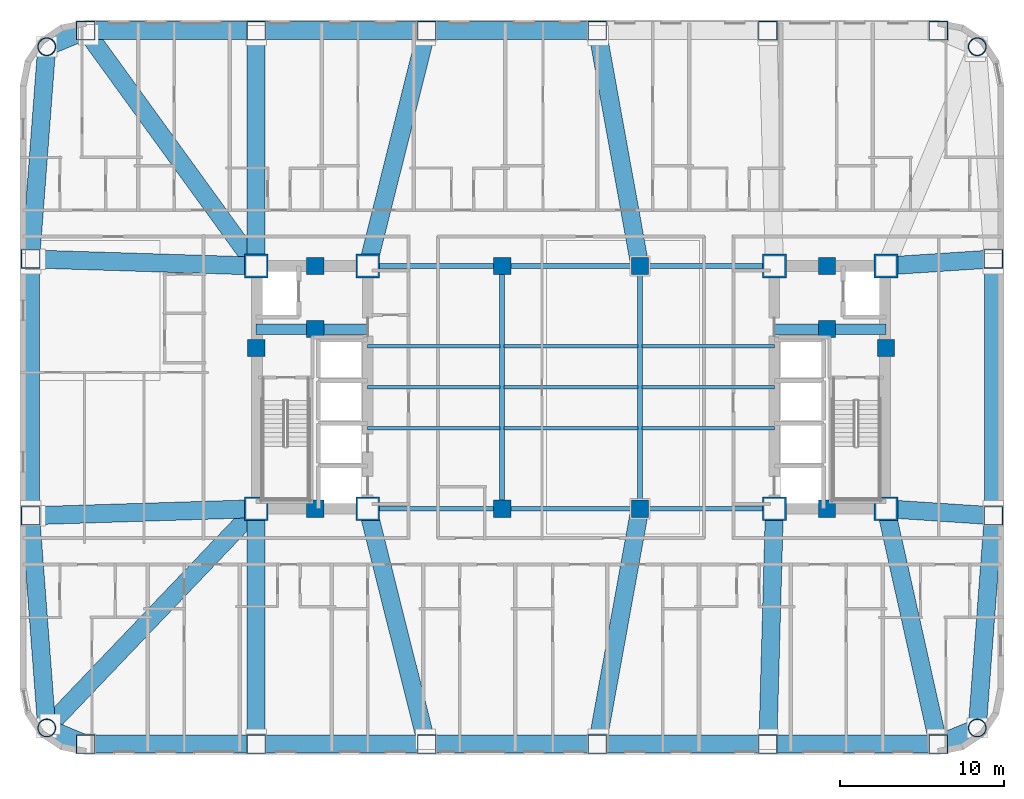
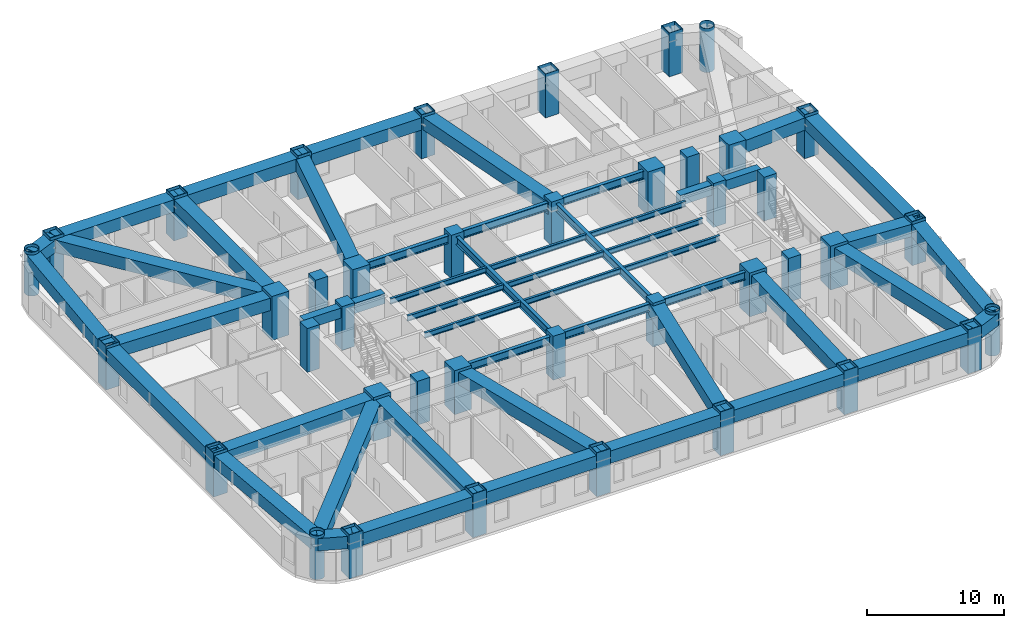
# One storey, part 1 of 12: 49 beams, 40 columns.
"""IFC4 building model written with IfcOpenShell, lengths in metres."""

from ifc_helpers import new_model, si_unit, direction, frame, origin, origin_2d, place, context, subcontext, project, spatial, rectangle, hollow_rectangle, hollow_circle, i_section, extrude, material, material_profile, profile_set, type_object, element, save


model = new_model("IFC4")

# Units and contexts
model_context = context("Model", 3, precision=1e-05, world=origin(), true_north=direction((0.0, 1.0)))
body_context = subcontext(model_context, "Body", "Model", "MODEL_VIEW")
ifc_project = project(units=[si_unit("LENGTHUNIT", "METRE"), si_unit("AREAUNIT", "SQUARE_METRE"), si_unit("VOLUMEUNIT", "CUBIC_METRE"), si_unit("PLANEANGLEUNIT", "RADIAN"), si_unit("MASSUNIT", "GRAM", prefix="KILO")], contexts=[model_context])

# Site, building, storey
site_placement = place(None, origin())
site = spatial("IfcSite", under=ifc_project, at=site_placement, CompositionType="ELEMENT")
building_placement = place(site_placement, origin())
building = spatial("IfcBuilding", under=site, at=building_placement, Name="Voryun Gate Residences", CompositionType="ELEMENT")
storey_placement = place(building_placement, frame((0.0, 0.0, 29.89990234375)))
storey = spatial("IfcBuildingStorey", under=building, at=storey_placement, Name="L06", CompositionType="ELEMENT", Elevation=29.89990234375)

# Columns
ifc_material_1 = material(Name="Concrete C50/60", Category="concrete")
ifc_material_profile_1 = material_profile(ifc_material_1, rectangle(XDim=1.050048828125, YDim=1.050048828125, at=origin_2d()), Name="RC-1050x1050")
ifc_profile_set_1 = profile_set([ifc_material_profile_1], Name="Concrete C50/60")
column_type_1 = type_object("IfcColumnType", Name="COL_CORE_1050", PredefinedType="COLUMN", material=ifc_profile_set_1)
for number, where, z_axis, x_axis, name in (
    (1, (-19.199951171875, 2.39990234375, 0.0), (0.0, 0.0, 1.0), (1.0, 0.0, 0.0), "L06 Core boundary column WC-MW"),
    (2, (-15.60009765625, -7.39990234375, 0.0), (0.0, 0.0, 1.0), (1.0, 0.0, 0.0), "L06 Core boundary column WC-SM"),
    (3, (-15.60009765625, 7.39990234375, 0.0), (0.0, 0.0, 1.0), (1.0, 0.0, 0.0), "L06 Core boundary column WC-NM"),
    (4, (-15.60009765625, 3.550048828125, 0.0), (0.0, 0.0, 1.0), (1.0, 0.0, 0.0), "L06 Core boundary column WC-MM"),
    (5, (15.60009765625, 3.550048828125, 0.0), (0.0, 0.0, 1.0), (1.0, 0.0, 0.0), "L06 Core boundary column EC-MM"),
    (6, (15.60009765625, -7.39990234375, 0.0), (0.0, 0.0, 1.0), (1.0, 0.0, 0.0), "L06 Core boundary column EC-SM"),
    (7, (15.60009765625, 7.39990234375, 0.0), (0.0, 0.0, 1.0), (1.0, 0.0, 0.0), "L06 Core boundary column EC-NM"),
    (8, (19.199951171875, 2.39990234375, 0.0), (0.0, 0.0, 1.0), (1.0, 0.0, 0.0), "L06 Core boundary column EC-ME"),
    (9, (-4.199951171875, -7.39990234375, 0.0), (0.0, 0.0, 1.0), (1.0, 0.0, 0.0), "L06 Interior spine column SP-WS"),
    (10, (-4.199951171875, 7.39990234375, 0.0), (0.0, 0.0, 1.0), (1.0, 0.0, 0.0), "L06 Interior spine column SP-WN"),
    (11, (4.199951171875, -7.39990234375, 0.0), (0.0, 0.0, 1.0), (1.0, 0.0, 0.0), "L06 Interior spine column SP-ES"),
    (12, (4.199951171875, 7.39990234375, 0.0), (0.0, 0.0, 1.0), (1.0, 0.0, 0.0), "L06 Interior spine column SP-EN"),
):
    element("IfcColumn", number, at=place(storey_placement, frame(where, z_axis=z_axis, x_axis=x_axis)), inside=storey, type_object=column_type_1, Name=name, PredefinedType="COLUMN", context=body_context, shape_type="SweptSolid", body=[
        extrude(rectangle(XDim=1.050048828125, YDim=1.050048828125, at=origin_2d()), origin(), (0.0, 0.0, 1.0), 3.900146484375),
    ])
ifc_material_2 = material(Name="Steel SM420", Category="steel")
ifc_material_profile_2 = material_profile(ifc_material_2, hollow_circle(Radius=0.550048828125, WallThickness=0.035888671875, at=origin_2d()), Name="CHS-1100x36")
ifc_profile_set_2 = profile_set([ifc_material_profile_2], Name="Steel SM420")
column_type_2 = type_object("IfcColumnType", Name="COL_CRN_1100", PredefinedType="COLUMN", material=ifc_profile_set_2)
for number, where, z_axis, x_axis, name in (
    (13, (24.768798828125, -20.768798828125, 0.0), (0.0, 0.0, 1.0), (1.0, 0.0, 0.0), "L06 Exoskeleton column CSE"),
    (14, (24.768798828125, 20.768798828125, 0.0), (0.0, 0.0, 1.0), (1.0, 0.0, 0.0), "L06 Exoskeleton column CNE"),
    (15, (-31.96875, 20.768798828125, 0.0), (0.0, 0.0, 1.0), (1.0, 0.0, 0.0), "L06 Exoskeleton column CNW"),
    (16, (-31.96875, -20.768798828125, 0.0), (0.0, 0.0, 1.0), (1.0, 0.0, 0.0), "L06 Exoskeleton column CSW"),
):
    element("IfcColumn", number, at=place(storey_placement, frame(where, z_axis=z_axis, x_axis=x_axis)), inside=storey, type_object=column_type_2, Name=name, PredefinedType="COLUMN", context=body_context, shape_type="SweptSolid", body=[
        extrude(hollow_circle(Radius=0.550048828125, WallThickness=0.035888671875, at=origin_2d()), origin(), (0.0, 0.0, 1.0), 3.900146484375),
    ])
ifc_material_3 = material(Name="Steel SM420", Category="steel")
ifc_material_profile_3 = material_profile(ifc_material_3, hollow_rectangle(XDim=1.14990234375, YDim=1.14990234375, WallThickness=0.0400390625, at=origin_2d()), Name="BOX-1150x1150x40")
ifc_profile_set_3 = profile_set([ifc_material_profile_3], Name="Steel SM420")
column_type_3 = type_object("IfcColumnType", Name="COL_EXO_B1", PredefinedType="COLUMN", material=ifc_profile_set_3)
for number, where, z_axis, x_axis, name in (
    (17, (-29.60009765625, -21.75, 0.0), (0.0, 0.0, 1.0), (1.0, 0.0, 0.0), "L06 Exoskeleton column S1"),
    (18, (-19.199951171875, -21.75, 0.0), (0.0, 0.0, 1.0), (1.0, 0.0, 0.0), "L06 Exoskeleton column S2"),
    (19, (-8.800048828125, -21.75, 0.0), (0.0, 0.0, 1.0), (1.0, 0.0, 0.0), "L06 Exoskeleton column S3"),
    (20, (1.60009765625, -21.75, 0.0), (0.0, 0.0, 1.0), (1.0, 0.0, 0.0), "L06 Exoskeleton column S4"),
    (21, (12.0, -21.75, 0.0), (0.0, 0.0, 1.0), (1.0, 0.0, 0.0), "L06 Exoskeleton column S5"),
    (22, (22.39990234375, -21.75, 0.0), (0.0, 0.0, 1.0), (1.0, 0.0, 0.0), "L06 Exoskeleton column S6"),
    (23, (25.75, -7.830078125, 0.0), (0.0, 0.0, 1.0), (1.0, 0.0, 0.0), "L06 Exoskeleton column E1"),
    (24, (25.75, 7.830078125, 0.0), (0.0, 0.0, 1.0), (1.0, 0.0, 0.0), "L06 Exoskeleton column E2"),
    (25, (22.39990234375, 21.75, 0.0), (0.0, 0.0, 1.0), (1.0, 0.0, 0.0), "L06 Exoskeleton column N1"),
    (26, (12.0, 21.75, 0.0), (0.0, 0.0, 1.0), (1.0, 0.0, 0.0), "L06 Exoskeleton column N2"),
    (27, (1.60009765625, 21.75, 0.0), (0.0, 0.0, 1.0), (1.0, 0.0, 0.0), "L06 Exoskeleton column N3"),
    (28, (-8.800048828125, 21.75, 0.0), (0.0, 0.0, 1.0), (1.0, 0.0, 0.0), "L06 Exoskeleton column N4"),
    (29, (-19.199951171875, 21.75, 0.0), (0.0, 0.0, 1.0), (1.0, 0.0, 0.0), "L06 Exoskeleton column N5"),
    (30, (-29.60009765625, 21.75, 0.0), (0.0, 0.0, 1.0), (1.0, 0.0, 0.0), "L06 Exoskeleton column N6"),
    (31, (-32.949951171875, 7.830078125, 0.0), (0.0, 0.0, 1.0), (1.0, 0.0, 0.0), "L06 Exoskeleton column W1"),
    (32, (-32.949951171875, -7.830078125, 0.0), (0.0, 0.0, 1.0), (1.0, 0.0, 0.0), "L06 Exoskeleton column W2"),
):
    element("IfcColumn", number, at=place(storey_placement, frame(where, z_axis=z_axis, x_axis=x_axis)), inside=storey, type_object=column_type_3, Name=name, PredefinedType="COLUMN", context=body_context, shape_type="SweptSolid", body=[
        extrude(hollow_rectangle(XDim=1.14990234375, YDim=1.14990234375, WallThickness=0.0400390625, at=origin_2d()), origin(), (0.0, 0.0, 1.0), 3.900146484375),
    ])
ifc_material_4 = material(Name="Concrete C60/75", Category="concrete")
ifc_material_profile_4 = material_profile(ifc_material_4, rectangle(XDim=1.449951171875, YDim=1.449951171875, at=origin_2d()), Name="RC-1450x1450")
ifc_profile_set_4 = profile_set([ifc_material_profile_4], Name="Concrete C60/75")
column_type_4 = type_object("IfcColumnType", Name="COL_MEGA_1450", PredefinedType="COLUMN", material=ifc_profile_set_4)
for number, where, z_axis, x_axis, name in (
    (33, (-19.199951171875, -7.39990234375, 0.0), (0.0, 0.0, 1.0), (1.0, 0.0, 0.0), "L06 Core boundary column WC-SW"),
    (34, (-19.199951171875, 7.39990234375, 0.0), (0.0, 0.0, 1.0), (1.0, 0.0, 0.0), "L06 Core boundary column WC-NW"),
    (35, (-12.39990234375, -7.39990234375, 0.0), (0.0, 0.0, 1.0), (1.0, 0.0, 0.0), "L06 Core boundary column WC-SE"),
    (36, (-12.39990234375, 7.39990234375, 0.0), (0.0, 0.0, 1.0), (1.0, 0.0, 0.0), "L06 Core boundary column WC-NE"),
    (37, (12.39990234375, -7.39990234375, 0.0), (0.0, 0.0, 1.0), (1.0, 0.0, 0.0), "L06 Core boundary column EC-SW"),
    (38, (12.39990234375, 7.39990234375, 0.0), (0.0, 0.0, 1.0), (1.0, 0.0, 0.0), "L06 Core boundary column EC-NW"),
    (39, (19.199951171875, -7.39990234375, 0.0), (0.0, 0.0, 1.0), (1.0, 0.0, 0.0), "L06 Core boundary column EC-SE"),
    (40, (19.199951171875, 7.39990234375, 0.0), (0.0, 0.0, 1.0), (1.0, 0.0, 0.0), "L06 Core boundary column EC-NE"),
):
    element("IfcColumn", number, at=place(storey_placement, frame(where, z_axis=z_axis, x_axis=x_axis)), inside=storey, type_object=column_type_4, Name=name, PredefinedType="COLUMN", context=body_context, shape_type="SweptSolid", body=[
        extrude(rectangle(XDim=1.449951171875, YDim=1.449951171875, at=origin_2d()), origin(), (0.0, 0.0, 1.0), 3.900146484375),
    ])

# Beams
ifc_material_5 = material(Name="Steel SM420", Category="steel")
ifc_material_profile_5 = material_profile(ifc_material_5, hollow_rectangle(XDim=1.10009765625, YDim=1.10009765625, WallThickness=0.035888671875, at=origin_2d()), Name="BOX-1100x1100x36")
ifc_profile_set_5 = profile_set([ifc_material_profile_5], Name="Steel SM420")
beam_type_1 = type_object("IfcBeamType", Name="BM_ARCH_RIB", PredefinedType="USERDEFINED", material=ifc_profile_set_5)
beam_1_placement = place(storey_placement, frame((-29.60009765625, -21.75, 3.10009765625), z_axis=(1.0, 0.0, 0.0), x_axis=(0.0, 1.0, 0.0)))
element("IfcBeam", 41, at=beam_1_placement, inside=storey, type_object=beam_type_1, Name="BM-L06-SPAND-01", ObjectType="GIRDER", PredefinedType="USERDEFINED", context=body_context, shape_type="SweptSolid", body=[
    extrude(hollow_rectangle(XDim=1.10009765625, YDim=1.10009765625, WallThickness=0.035888671875, at=origin_2d()), origin(), (0.0, 0.0, 1.0), 10.400146484375),
])
beam_2_placement = place(storey_placement, frame((-19.199951171875, -21.75, 3.10009765625), z_axis=(1.0, 0.0, 0.0), x_axis=(0.0, 1.0, 0.0)))
element("IfcBeam", 42, at=beam_2_placement, inside=storey, type_object=beam_type_1, Name="BM-L06-SPAND-02", ObjectType="GIRDER", PredefinedType="USERDEFINED", context=body_context, shape_type="SweptSolid", body=[
    extrude(hollow_rectangle(XDim=1.10009765625, YDim=1.10009765625, WallThickness=0.035888671875, at=origin_2d()), origin(), (0.0, 0.0, 1.0), 10.39990234375),
])
beam_3_placement = place(storey_placement, frame((-8.800048828125, -21.75, 3.10009765625), z_axis=(1.0, 0.0, 0.0), x_axis=(0.0, 1.0, 0.0)))
element("IfcBeam", 43, at=beam_3_placement, inside=storey, type_object=beam_type_1, Name="BM-L06-SPAND-03", ObjectType="GIRDER", PredefinedType="USERDEFINED", context=body_context, shape_type="SweptSolid", body=[
    extrude(hollow_rectangle(XDim=1.10009765625, YDim=1.10009765625, WallThickness=0.035888671875, at=origin_2d()), origin(), (0.0, 0.0, 1.0), 10.400146484375),
])
for number, where, z_axis, x_axis, name in (
    (44, (1.60009765625, -21.75, 3.10009765625), (1.0, 0.0, 0.0), (0.0, 1.0, 0.0), "BM-L06-SPAND-04"),
    (45, (12.0, -21.75, 3.10009765625), (1.0, 0.0, 0.0), (0.0, 1.0, 0.0), "BM-L06-SPAND-05"),
):
    element("IfcBeam", number, at=place(storey_placement, frame(where, z_axis=z_axis, x_axis=x_axis)), inside=storey, type_object=beam_type_1, Name=name, ObjectType="GIRDER", PredefinedType="USERDEFINED", context=body_context, shape_type="SweptSolid", body=[
        extrude(hollow_rectangle(XDim=1.10009765625, YDim=1.10009765625, WallThickness=0.035888671875, at=origin_2d()), origin(), (0.0, 0.0, 1.0), 10.39990234375),
    ])
beam_4_placement = place(storey_placement, frame((22.39990234375, -21.75, 3.10009765625), z_axis=(0.923883376753, 0.382674151414, 0.0), x_axis=(-0.382674151414, 0.923883376753, 0.0)))
element("IfcBeam", 46, at=beam_4_placement, inside=storey, type_object=beam_type_1, Name="BM-L06-SPAND-06", ObjectType="GIRDER", PredefinedType="USERDEFINED", context=body_context, shape_type="SweptSolid", body=[
    extrude(hollow_rectangle(XDim=1.10009765625, YDim=1.10009765625, WallThickness=0.035888671875, at=origin_2d()), origin(), (0.0, 0.0, 1.0), 2.56396484375),
])
beam_5_placement = place(storey_placement, frame((24.768798828125, -20.768798828125, 3.10009765625), z_axis=(0.075617360159, 0.997136908776, 0.0), x_axis=(-0.997136908776, 0.075617360159, 0.0)))
element("IfcBeam", 47, at=beam_5_placement, inside=storey, type_object=beam_type_1, Name="BM-L06-SPAND-07", ObjectType="GIRDER", PredefinedType="USERDEFINED", context=body_context, shape_type="SweptSolid", body=[
    extrude(hollow_rectangle(XDim=1.10009765625, YDim=1.10009765625, WallThickness=0.035888671875, at=origin_2d()), origin(), (0.0, 0.0, 1.0), 12.975830078125),
])
beam_6_placement = place(storey_placement, frame((25.75, -7.530029296875, 3.10009765625), z_axis=(0.0, 1.0, 0.0), x_axis=(-1.0, 0.0, 0.0)))
element("IfcBeam", 48, at=beam_6_placement, inside=storey, type_object=beam_type_1, Name="BM-L06-SPAND-08", ObjectType="GIRDER", PredefinedType="USERDEFINED", context=body_context, shape_type="SweptSolid", body=[
    extrude(hollow_rectangle(XDim=1.10009765625, YDim=1.10009765625, WallThickness=0.035888671875, at=origin_2d()), origin(), (0.0, 0.0, 1.0), 15.06005859375),
])
beam_7_placement = place(storey_placement, frame((1.60009765625, 21.75, 3.10009765625), z_axis=(-1.0, 0.0, 0.0), x_axis=(0.0, -1.0, 0.0)))
element("IfcBeam", 49, at=beam_7_placement, inside=storey, type_object=beam_type_1, Name="BM-L06-SPAND-13", ObjectType="GIRDER", PredefinedType="USERDEFINED", context=body_context, shape_type="SweptSolid", body=[
    extrude(hollow_rectangle(XDim=1.10009765625, YDim=1.10009765625, WallThickness=0.035888671875, at=origin_2d()), origin(), (0.0, 0.0, 1.0), 10.400146484375),
])
beam_8_placement = place(storey_placement, frame((-8.800048828125, 21.75, 3.10009765625), z_axis=(-1.0, 0.0, 0.0), x_axis=(0.0, -1.0, 0.0)))
element("IfcBeam", 50, at=beam_8_placement, inside=storey, type_object=beam_type_1, Name="BM-L06-SPAND-14", ObjectType="GIRDER", PredefinedType="USERDEFINED", context=body_context, shape_type="SweptSolid", body=[
    extrude(hollow_rectangle(XDim=1.10009765625, YDim=1.10009765625, WallThickness=0.035888671875, at=origin_2d()), origin(), (0.0, 0.0, 1.0), 10.39990234375),
])
beam_9_placement = place(storey_placement, frame((-19.199951171875, 21.75, 3.10009765625), z_axis=(-1.0, 0.0, 0.0), x_axis=(0.0, -1.0, 0.0)))
element("IfcBeam", 51, at=beam_9_placement, inside=storey, type_object=beam_type_1, Name="BM-L06-SPAND-15", ObjectType="GIRDER", PredefinedType="USERDEFINED", context=body_context, shape_type="SweptSolid", body=[
    extrude(hollow_rectangle(XDim=1.10009765625, YDim=1.10009765625, WallThickness=0.035888671875, at=origin_2d()), origin(), (0.0, 0.0, 1.0), 10.400146484375),
])
beam_10_placement = place(storey_placement, frame((-29.60009765625, 21.75, 3.10009765625), z_axis=(-0.92386943149, -0.382707817477, 0.0), x_axis=(0.382707817477, -0.92386943149, 0.0)))
element("IfcBeam", 52, at=beam_10_placement, inside=storey, type_object=beam_type_1, Name="BM-L06-SPAND-16", ObjectType="GIRDER", PredefinedType="USERDEFINED", context=body_context, shape_type="SweptSolid", body=[
    extrude(hollow_rectangle(XDim=1.10009765625, YDim=1.10009765625, WallThickness=0.035888671875, at=origin_2d()), origin(), (0.0, 0.0, 1.0), 2.563720703125),
])
beam_11_placement = place(storey_placement, frame((-31.96875, 20.768798828125, 3.10009765625), z_axis=(-0.075617360159, -0.997136908776, 0.0), x_axis=(0.997136908776, -0.075617360159, 0.0)))
element("IfcBeam", 53, at=beam_11_placement, inside=storey, type_object=beam_type_1, Name="BM-L06-SPAND-17", ObjectType="GIRDER", PredefinedType="USERDEFINED", context=body_context, shape_type="SweptSolid", body=[
    extrude(hollow_rectangle(XDim=1.10009765625, YDim=1.10009765625, WallThickness=0.035888671875, at=origin_2d()), origin(), (0.0, 0.0, 1.0), 12.975830078125),
])
beam_12_placement = place(storey_placement, frame((-32.949951171875, 7.530029296875, 3.10009765625), z_axis=(0.0, -1.0, 0.0), x_axis=(1.0, 0.0, 0.0)))
element("IfcBeam", 54, at=beam_12_placement, inside=storey, type_object=beam_type_1, Name="BM-L06-SPAND-18", ObjectType="GIRDER", PredefinedType="USERDEFINED", context=body_context, shape_type="SweptSolid", body=[
    extrude(hollow_rectangle(XDim=1.10009765625, YDim=1.10009765625, WallThickness=0.035888671875, at=origin_2d()), origin(), (0.0, 0.0, 1.0), 15.06005859375),
])
beam_13_placement = place(storey_placement, frame((-32.949951171875, -7.830078125, 3.10009765625), z_axis=(0.075617360159, -0.997136908776, 0.0), x_axis=(0.997136908776, 0.075617360159, 0.0)))
element("IfcBeam", 55, at=beam_13_placement, inside=storey, type_object=beam_type_1, Name="BM-L06-SPAND-19", ObjectType="GIRDER", PredefinedType="USERDEFINED", context=body_context, shape_type="SweptSolid", body=[
    extrude(hollow_rectangle(XDim=1.10009765625, YDim=1.10009765625, WallThickness=0.035888671875, at=origin_2d()), origin(), (0.0, 0.0, 1.0), 12.975830078125),
])
beam_14_placement = place(storey_placement, frame((-31.96875, -20.768798828125, 3.10009765625), z_axis=(0.92386943149, -0.382707817477, 0.0), x_axis=(0.382707817477, 0.92386943149, 0.0)))
element("IfcBeam", 56, at=beam_14_placement, inside=storey, type_object=beam_type_1, Name="BM-L06-SPAND-20", ObjectType="GIRDER", PredefinedType="USERDEFINED", context=body_context, shape_type="SweptSolid", body=[
    extrude(hollow_rectangle(XDim=1.10009765625, YDim=1.10009765625, WallThickness=0.035888671875, at=origin_2d()), origin(), (0.0, 0.0, 1.0), 2.563720703125),
])
beam_15_placement = place(storey_placement, frame((-19.199951171875, -7.39990234375, 3.10009765625), z_axis=(0.0, -1.0, 0.0), x_axis=(1.0, 0.0, 0.0)))
element("IfcBeam", 57, at=beam_15_placement, inside=storey, type_object=beam_type_1, Name="BM-L06-RAD-S2", ObjectType="GIRDER", PredefinedType="USERDEFINED", context=body_context, shape_type="SweptSolid", body=[
    extrude(hollow_rectangle(XDim=1.10009765625, YDim=1.10009765625, WallThickness=0.035888671875, at=origin_2d()), origin(), (0.0, 0.0, 1.0), 14.050048828125),
])
beam_16_placement = place(storey_placement, frame((-12.39990234375, -7.39990234375, 3.10009765625), z_axis=(0.243320251576, -0.969946006318, 0.0), x_axis=(0.969946006318, 0.243320251576, 0.0)))
element("IfcBeam", 58, at=beam_16_placement, inside=storey, type_object=beam_type_1, Name="BM-L06-RAD-S3", ObjectType="GIRDER", PredefinedType="USERDEFINED", context=body_context, shape_type="SweptSolid", body=[
    extrude(hollow_rectangle(XDim=1.10009765625, YDim=1.10009765625, WallThickness=0.035888671875, at=origin_2d()), origin(), (0.0, 0.0, 1.0), 14.49462890625),
])
beam_17_placement = place(storey_placement, frame((4.199951171875, -7.39990234375, 3.10009765625), z_axis=(-0.178271724782, -0.983981296643, 0.0), x_axis=(0.983981296643, -0.178271724782, 0.0)))
element("IfcBeam", 59, at=beam_17_placement, inside=storey, type_object=beam_type_1, Name="BM-L06-RAD-S4", ObjectType="GIRDER", PredefinedType="USERDEFINED", context=body_context, shape_type="SweptSolid", body=[
    extrude(hollow_rectangle(XDim=1.10009765625, YDim=1.10009765625, WallThickness=0.035888671875, at=origin_2d()), origin(), (0.0, 0.0, 1.0), 14.28369140625),
])
beam_18_placement = place(storey_placement, frame((12.39990234375, -7.39990234375, 3.10009765625), z_axis=(-0.027860596984, -0.999611818225, 0.0), x_axis=(0.999611818225, -0.027860596984, 0.0)))
element("IfcBeam", 60, at=beam_18_placement, inside=storey, type_object=beam_type_1, Name="BM-L06-RAD-S5", ObjectType="GIRDER", PredefinedType="USERDEFINED", context=body_context, shape_type="SweptSolid", body=[
    extrude(hollow_rectangle(XDim=1.10009765625, YDim=1.10009765625, WallThickness=0.035888671875, at=origin_2d()), origin(), (0.0, 0.0, 1.0), 14.0556640625),
])
beam_19_placement = place(storey_placement, frame((19.199951171875, -7.39990234375, 3.10009765625), z_axis=(0.217651916462, -0.97602645623, 0.0), x_axis=(0.97602645623, 0.217651916462, 0.0)))
element("IfcBeam", 61, at=beam_19_placement, inside=storey, type_object=beam_type_1, Name="BM-L06-RAD-S6", ObjectType="GIRDER", PredefinedType="USERDEFINED", context=body_context, shape_type="SweptSolid", body=[
    extrude(hollow_rectangle(XDim=1.10009765625, YDim=1.10009765625, WallThickness=0.035888671875, at=origin_2d()), origin(), (0.0, 0.0, 1.0), 14.402587890625),
])
for number, where, z_axis, x_axis, name in (
    (62, (19.199951171875, -7.39990234375, 3.10009765625), (0.997850335415, -0.06553402255, 0.0), (0.06553402255, 0.997850335415, 0.0), "BM-L06-RAD-E1"),
    (63, (19.199951171875, 7.39990234375, 3.10009765625), (0.997850335415, 0.06553402255, 0.0), (-0.06553402255, 0.997850335415, 0.0), "BM-L06-RAD-E2"),
):
    element("IfcBeam", number, at=place(storey_placement, frame(where, z_axis=z_axis, x_axis=x_axis)), inside=storey, type_object=beam_type_1, Name=name, ObjectType="GIRDER", PredefinedType="USERDEFINED", context=body_context, shape_type="SweptSolid", body=[
        extrude(hollow_rectangle(XDim=1.10009765625, YDim=1.10009765625, WallThickness=0.035888671875, at=origin_2d()), origin(), (0.0, 0.0, 1.0), 6.564208984375),
    ])
beam_20_placement = place(storey_placement, frame((4.199951171875, 7.39990234375, 3.10009765625), z_axis=(-0.178271724782, 0.983981296643, 0.0), x_axis=(-0.983981296643, -0.178271724782, 0.0)))
element("IfcBeam", 64, at=beam_20_placement, inside=storey, type_object=beam_type_1, Name="BM-L06-RAD-N3", ObjectType="GIRDER", PredefinedType="USERDEFINED", context=body_context, shape_type="SweptSolid", body=[
    extrude(hollow_rectangle(XDim=1.10009765625, YDim=1.10009765625, WallThickness=0.035888671875, at=origin_2d()), origin(), (0.0, 0.0, 1.0), 14.28369140625),
])
beam_21_placement = place(storey_placement, frame((-12.39990234375, 7.39990234375, 3.10009765625), z_axis=(0.243320251576, 0.969946006318, 0.0), x_axis=(-0.969946006318, 0.243320251576, 0.0)))
element("IfcBeam", 65, at=beam_21_placement, inside=storey, type_object=beam_type_1, Name="BM-L06-RAD-N4", ObjectType="GIRDER", PredefinedType="USERDEFINED", context=body_context, shape_type="SweptSolid", body=[
    extrude(hollow_rectangle(XDim=1.10009765625, YDim=1.10009765625, WallThickness=0.035888671875, at=origin_2d()), origin(), (0.0, 0.0, 1.0), 14.49462890625),
])
beam_22_placement = place(storey_placement, frame((-19.199951171875, 7.39990234375, 3.10009765625), z_axis=(0.0, 1.0, 0.0), x_axis=(-1.0, 0.0, 0.0)))
element("IfcBeam", 66, at=beam_22_placement, inside=storey, type_object=beam_type_1, Name="BM-L06-RAD-N5", ObjectType="GIRDER", PredefinedType="USERDEFINED", context=body_context, shape_type="SweptSolid", body=[
    extrude(hollow_rectangle(XDim=1.10009765625, YDim=1.10009765625, WallThickness=0.035888671875, at=origin_2d()), origin(), (0.0, 0.0, 1.0), 14.050048828125),
])
beam_23_placement = place(storey_placement, frame((-19.199951171875, 7.39990234375, 3.10009765625), z_axis=(-0.586832772995, 0.809708155164, 0.0), x_axis=(-0.809708155164, -0.586832772995, 0.0)))
element("IfcBeam", 67, at=beam_23_placement, inside=storey, type_object=beam_type_1, Name="BM-L06-RAD-N6", ObjectType="GIRDER", PredefinedType="USERDEFINED", context=body_context, shape_type="SweptSolid", body=[
    extrude(hollow_rectangle(XDim=1.10009765625, YDim=1.10009765625, WallThickness=0.035888671875, at=origin_2d()), origin(), (0.0, 0.0, 1.0), 17.422607421875),
])
for number, where, z_axis, x_axis, name in (
    (68, (-19.199951171875, 7.39990234375, 3.10009765625), (-0.999511296973, 0.031259674085, 0.0), (-0.031259674085, -0.999511296973, 0.0), "BM-L06-RAD-W1"),
    (69, (-19.199951171875, -7.39990234375, 3.10009765625), (-0.999511296973, -0.031259674085, 0.0), (0.031259674085, -0.999511296973, 0.0), "BM-L06-RAD-W2"),
):
    element("IfcBeam", number, at=place(storey_placement, frame(where, z_axis=z_axis, x_axis=x_axis)), inside=storey, type_object=beam_type_1, Name=name, ObjectType="GIRDER", PredefinedType="USERDEFINED", context=body_context, shape_type="SweptSolid", body=[
        extrude(hollow_rectangle(XDim=1.10009765625, YDim=1.10009765625, WallThickness=0.035888671875, at=origin_2d()), origin(), (0.0, 0.0, 1.0), 13.456787109375),
    ])
beam_24_placement = place(storey_placement, frame((-19.199951171875, -7.39990234375, 3.10009765625), z_axis=(-0.69069122134, -0.723149802437, 0.0), x_axis=(0.723149802437, -0.69069122134, 0.0)))
element("IfcBeam", 70, at=beam_24_placement, inside=storey, type_object=beam_type_1, Name="BM-L06-RAD-CSW", ObjectType="GIRDER", PredefinedType="USERDEFINED", context=body_context, shape_type="SweptSolid", body=[
    extrude(hollow_rectangle(XDim=1.10009765625, YDim=1.10009765625, WallThickness=0.035888671875, at=origin_2d()), origin(), (0.0, 0.0, 1.0), 18.187255859375),
])
ifc_material_6 = material(Name="Concrete C60/75", Category="concrete")
ifc_material_profile_6 = material_profile(ifc_material_6, rectangle(XDim=0.64990234375, YDim=0.89990234375, at=origin_2d()), Name="RC-650x900")
ifc_profile_set_6 = profile_set([ifc_material_profile_6], Name="Concrete C60/75")
beam_type_2 = type_object("IfcBeamType", Name="BM_COUP_RC900", PredefinedType="LINTEL", material=ifc_profile_set_6)
for number, where, z_axis, x_axis, name in (
    (71, (-19.199951171875, 3.550048828125, 3.2001953125), (1.0, 0.0, 0.0), (0.0, 1.0, 0.0), "BM-L06-WC1"),
    (72, (12.39990234375, 3.550048828125, 3.2001953125), (1.0, 0.0, 0.0), (0.0, 1.0, 0.0), "BM-L06-EC1"),
):
    element("IfcBeam", number, at=place(storey_placement, frame(where, z_axis=z_axis, x_axis=x_axis)), inside=storey, type_object=beam_type_2, Name=name, PredefinedType="LINTEL", context=body_context, shape_type="SweptSolid", body=[
        extrude(rectangle(XDim=0.64990234375, YDim=0.89990234375, at=origin_2d()), origin(), (0.0, 0.0, 1.0), 6.800048828125),
    ])
ifc_material_7 = material(Name="Steel SM355", Category="steel")
ifc_material_profile_7 = material_profile(ifc_material_7, i_section(OverallWidth=0.300048828125, OverallDepth=0.699951171875, WebThickness=0.012939453125, FlangeThickness=0.02392578125, FilletRadius=0.01806640625, at=origin_2d()), Name="H-700x300x13x24")
ifc_profile_set_7 = profile_set([ifc_material_profile_7], Name="Steel SM355")
beam_type_3 = type_object("IfcBeamType", Name="BM_GIRD_700", PredefinedType="USERDEFINED", material=ifc_profile_set_7)
beam_25_placement = place(storey_placement, frame((-12.39990234375, -7.39990234375, 3.300048828125), z_axis=(1.0, 0.0, 0.0), x_axis=(0.0, 1.0, 0.0)))
element("IfcBeam", 73, at=beam_25_placement, inside=storey, type_object=beam_type_3, Name="BM-L06-SPG1-S", ObjectType="GIRDER", PredefinedType="USERDEFINED", context=body_context, shape_type="SweptSolid", body=[
    extrude(i_section(OverallWidth=0.300048828125, OverallDepth=0.699951171875, WebThickness=0.012939453125, FlangeThickness=0.02392578125, FilletRadius=0.01806640625, at=origin_2d()), origin(), (0.0, 0.0, 1.0), 8.199951171875),
])
beam_26_placement = place(storey_placement, frame((-4.199951171875, -7.39990234375, 3.300048828125), z_axis=(1.0, 0.0, 0.0), x_axis=(0.0, 1.0, 0.0)))
element("IfcBeam", 74, at=beam_26_placement, inside=storey, type_object=beam_type_3, Name="BM-L06-SPG2-S", ObjectType="GIRDER", PredefinedType="USERDEFINED", context=body_context, shape_type="SweptSolid", body=[
    extrude(i_section(OverallWidth=0.300048828125, OverallDepth=0.699951171875, WebThickness=0.012939453125, FlangeThickness=0.02392578125, FilletRadius=0.01806640625, at=origin_2d()), origin(), (0.0, 0.0, 1.0), 8.39990234375),
])
for number, where, z_axis, x_axis, name in (
    (75, (4.199951171875, -7.39990234375, 3.300048828125), (1.0, 0.0, 0.0), (0.0, 1.0, 0.0), "BM-L06-SPG3-S"),
    (76, (-12.39990234375, 7.39990234375, 3.300048828125), (1.0, 0.0, 0.0), (0.0, 1.0, 0.0), "BM-L06-SPG1-N"),
):
    element("IfcBeam", number, at=place(storey_placement, frame(where, z_axis=z_axis, x_axis=x_axis)), inside=storey, type_object=beam_type_3, Name=name, ObjectType="GIRDER", PredefinedType="USERDEFINED", context=body_context, shape_type="SweptSolid", body=[
        extrude(i_section(OverallWidth=0.300048828125, OverallDepth=0.699951171875, WebThickness=0.012939453125, FlangeThickness=0.02392578125, FilletRadius=0.01806640625, at=origin_2d()), origin(), (0.0, 0.0, 1.0), 8.199951171875),
    ])
beam_27_placement = place(storey_placement, frame((-4.199951171875, 7.39990234375, 3.300048828125), z_axis=(1.0, 0.0, 0.0), x_axis=(0.0, 1.0, 0.0)))
element("IfcBeam", 77, at=beam_27_placement, inside=storey, type_object=beam_type_3, Name="BM-L06-SPG2-N", ObjectType="GIRDER", PredefinedType="USERDEFINED", context=body_context, shape_type="SweptSolid", body=[
    extrude(i_section(OverallWidth=0.300048828125, OverallDepth=0.699951171875, WebThickness=0.012939453125, FlangeThickness=0.02392578125, FilletRadius=0.01806640625, at=origin_2d()), origin(), (0.0, 0.0, 1.0), 8.39990234375),
])
beam_28_placement = place(storey_placement, frame((4.199951171875, 7.39990234375, 3.300048828125), z_axis=(1.0, 0.0, 0.0), x_axis=(0.0, 1.0, 0.0)))
element("IfcBeam", 78, at=beam_28_placement, inside=storey, type_object=beam_type_3, Name="BM-L06-SPG3-N", ObjectType="GIRDER", PredefinedType="USERDEFINED", context=body_context, shape_type="SweptSolid", body=[
    extrude(i_section(OverallWidth=0.300048828125, OverallDepth=0.699951171875, WebThickness=0.012939453125, FlangeThickness=0.02392578125, FilletRadius=0.01806640625, at=origin_2d()), origin(), (0.0, 0.0, 1.0), 8.199951171875),
])
for number, where, z_axis, x_axis, name in (
    (79, (-4.199951171875, -7.39990234375, 3.300048828125), (0.0, 1.0, 0.0), (-1.0, 0.0, 0.0), "BM-L06-SPX-W"),
    (80, (4.199951171875, -7.39990234375, 3.300048828125), (0.0, 1.0, 0.0), (-1.0, 0.0, 0.0), "BM-L06-SPX-E"),
):
    element("IfcBeam", number, at=place(storey_placement, frame(where, z_axis=z_axis, x_axis=x_axis)), inside=storey, type_object=beam_type_3, Name=name, ObjectType="GIRDER", PredefinedType="USERDEFINED", context=body_context, shape_type="SweptSolid", body=[
        extrude(i_section(OverallWidth=0.300048828125, OverallDepth=0.699951171875, WebThickness=0.012939453125, FlangeThickness=0.02392578125, FilletRadius=0.01806640625, at=origin_2d()), origin(), (0.0, 0.0, 1.0), 14.7998046875),
    ])
ifc_material_8 = material(Name="Steel SM355", Category="steel")
ifc_material_profile_8 = material_profile(ifc_material_8, i_section(OverallWidth=0.199951171875, OverallDepth=0.47998046875, WebThickness=0.010009765625, FlangeThickness=0.01806640625, FilletRadius=0.01806640625, at=origin_2d()), Name="H-480x200x10x18")
ifc_profile_set_8 = profile_set([ifc_material_profile_8], Name="Steel SM355")
beam_type_4 = type_object("IfcBeamType", Name="BM_SEC_480", PredefinedType="BEAM", material=ifc_profile_set_8)
beam_29_placement = place(storey_placement, frame((-12.39990234375, -2.5, 3.41015625), z_axis=(1.0, 0.0, 0.0), x_axis=(0.0, 1.0, 0.0)))
element("IfcBeam", 81, at=beam_29_placement, inside=storey, type_object=beam_type_4, Name="BM-L06-SEC-CS1", PredefinedType="BEAM", context=body_context, shape_type="SweptSolid", body=[
    extrude(i_section(OverallWidth=0.199951171875, OverallDepth=0.47998046875, WebThickness=0.010009765625, FlangeThickness=0.01806640625, FilletRadius=0.01806640625, at=origin_2d()), origin(), (0.0, 0.0, 1.0), 8.074951171875),
])
beam_30_placement = place(storey_placement, frame((-4.074951171875, -2.5, 3.41015625), z_axis=(1.0, 0.0, 0.0), x_axis=(0.0, 1.0, 0.0)))
element("IfcBeam", 82, at=beam_30_placement, inside=storey, type_object=beam_type_4, Name="BM-L06-SEC-CS2", PredefinedType="BEAM", context=body_context, shape_type="SweptSolid", body=[
    extrude(i_section(OverallWidth=0.199951171875, OverallDepth=0.47998046875, WebThickness=0.010009765625, FlangeThickness=0.01806640625, FilletRadius=0.01806640625, at=origin_2d()), origin(), (0.0, 0.0, 1.0), 8.14990234375),
])
for number, where, z_axis, x_axis, name in (
    (83, (4.324951171875, -2.5, 3.41015625), (1.0, 0.0, 0.0), (0.0, 1.0, 0.0), "BM-L06-SEC-CS3"),
    (84, (-12.39990234375, 0.0, 3.41015625), (1.0, 0.0, 0.0), (0.0, 1.0, 0.0), "BM-L06-SEC-CM1"),
):
    element("IfcBeam", number, at=place(storey_placement, frame(where, z_axis=z_axis, x_axis=x_axis)), inside=storey, type_object=beam_type_4, Name=name, PredefinedType="BEAM", context=body_context, shape_type="SweptSolid", body=[
        extrude(i_section(OverallWidth=0.199951171875, OverallDepth=0.47998046875, WebThickness=0.010009765625, FlangeThickness=0.01806640625, FilletRadius=0.01806640625, at=origin_2d()), origin(), (0.0, 0.0, 1.0), 8.074951171875),
    ])
beam_31_placement = place(storey_placement, frame((-4.074951171875, 0.0, 3.41015625), z_axis=(1.0, 0.0, 0.0), x_axis=(0.0, 1.0, 0.0)))
element("IfcBeam", 85, at=beam_31_placement, inside=storey, type_object=beam_type_4, Name="BM-L06-SEC-CM2", PredefinedType="BEAM", context=body_context, shape_type="SweptSolid", body=[
    extrude(i_section(OverallWidth=0.199951171875, OverallDepth=0.47998046875, WebThickness=0.010009765625, FlangeThickness=0.01806640625, FilletRadius=0.01806640625, at=origin_2d()), origin(), (0.0, 0.0, 1.0), 8.14990234375),
])
for number, where, z_axis, x_axis, name in (
    (86, (4.324951171875, 0.0, 3.41015625), (1.0, 0.0, 0.0), (0.0, 1.0, 0.0), "BM-L06-SEC-CM3"),
    (87, (-12.39990234375, 2.5, 3.41015625), (1.0, 0.0, 0.0), (0.0, 1.0, 0.0), "BM-L06-SEC-CN1"),
):
    element("IfcBeam", number, at=place(storey_placement, frame(where, z_axis=z_axis, x_axis=x_axis)), inside=storey, type_object=beam_type_4, Name=name, PredefinedType="BEAM", context=body_context, shape_type="SweptSolid", body=[
        extrude(i_section(OverallWidth=0.199951171875, OverallDepth=0.47998046875, WebThickness=0.010009765625, FlangeThickness=0.01806640625, FilletRadius=0.01806640625, at=origin_2d()), origin(), (0.0, 0.0, 1.0), 8.074951171875),
    ])
beam_32_placement = place(storey_placement, frame((-4.074951171875, 2.5, 3.41015625), z_axis=(1.0, 0.0, 0.0), x_axis=(0.0, 1.0, 0.0)))
element("IfcBeam", 88, at=beam_32_placement, inside=storey, type_object=beam_type_4, Name="BM-L06-SEC-CN2", PredefinedType="BEAM", context=body_context, shape_type="SweptSolid", body=[
    extrude(i_section(OverallWidth=0.199951171875, OverallDepth=0.47998046875, WebThickness=0.010009765625, FlangeThickness=0.01806640625, FilletRadius=0.01806640625, at=origin_2d()), origin(), (0.0, 0.0, 1.0), 8.14990234375),
])
beam_33_placement = place(storey_placement, frame((4.324951171875, 2.5, 3.41015625), z_axis=(1.0, 0.0, 0.0), x_axis=(0.0, 1.0, 0.0)))
element("IfcBeam", 89, at=beam_33_placement, inside=storey, type_object=beam_type_4, Name="BM-L06-SEC-CN3", PredefinedType="BEAM", context=body_context, shape_type="SweptSolid", body=[
    extrude(i_section(OverallWidth=0.199951171875, OverallDepth=0.47998046875, WebThickness=0.010009765625, FlangeThickness=0.01806640625, FilletRadius=0.01806640625, at=origin_2d()), origin(), (0.0, 0.0, 1.0), 8.074951171875),
])

save(model, "model.ifc")
